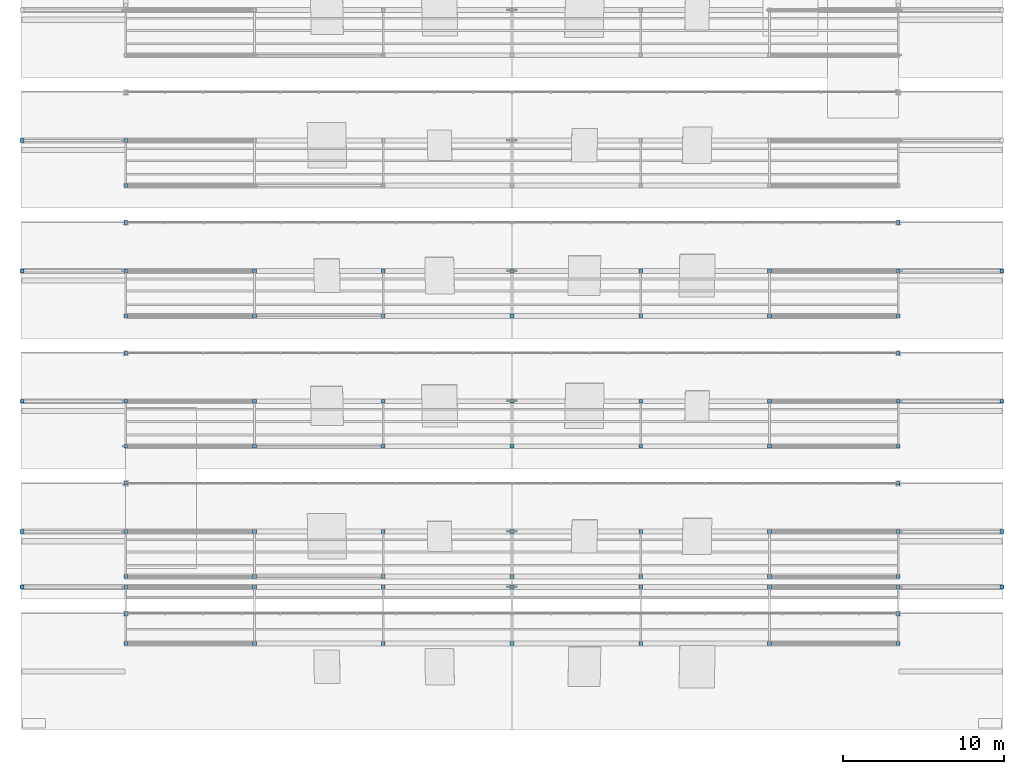
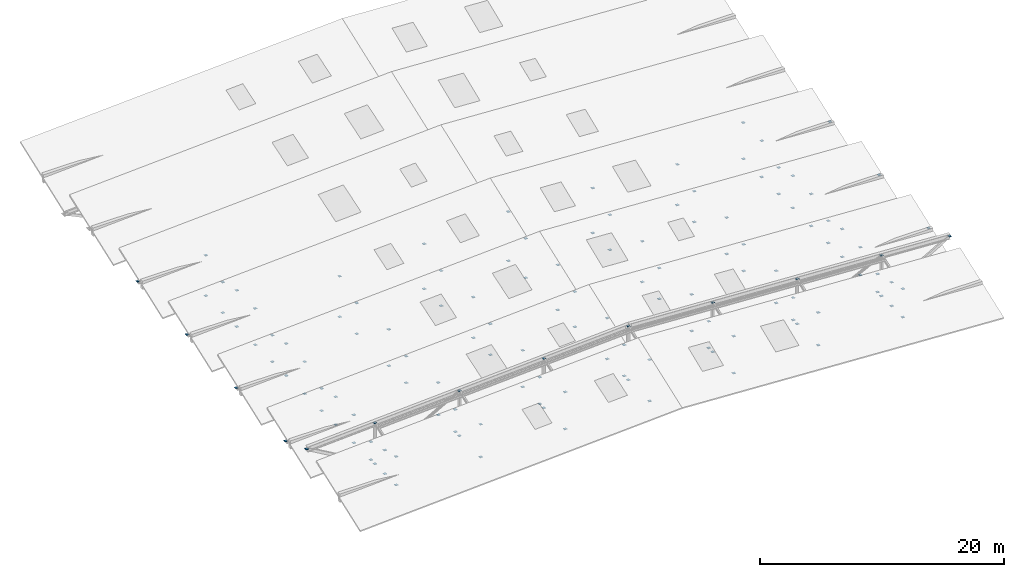
# One storey, part 139 of 141: 141 discrete accessories.
"""IFC4 building model written with IfcOpenShell, lengths in metres."""

import ifcopenshell
import ifcopenshell.guid

model = None  # the IFC model being written
_history = None  # IfcOwnerHistory: only IFC2X3 demands one
_inside = {}  # id of a spatial element -> (the spatial element, [elements in it])
_under = {}  # id of a project, library or spatial element -> (it, [spatial elements below it])
_declared = {}  # id of a project -> (the project, [libraries it declares])
_typed = {}  # id of a type object -> (the type object, [elements of that type])
_made_of = {}  # id of a material, layer set ... -> (it, [elements and type objects made of it])


def new_model(schema):
    """Start an empty IFC model of exactly this schema.

    Asked for "IFC4X3", IfcOpenShell would pick the latest addendum, in which some entities
    have other attributes; the version numbers below select the first issue.
    IFC2X3 requires an IfcOwnerHistory on every rooted entity: one is made here for all.
    """
    global model, _history
    if schema == "IFC4X3":
        model = ifcopenshell.file(schema_version=(4, 3, 0, 0))
    else:
        model = ifcopenshell.file(schema=schema)
    _inside.clear()
    _under.clear()
    _declared.clear()
    _typed.clear()
    _made_of.clear()
    _history = None
    if model.schema == "IFC2X3":
        org = make("IfcOrganization", Name="unknown")
        user = make(
            "IfcPersonAndOrganization",
            ThePerson=make("IfcPerson", FamilyName="unknown"),
            TheOrganization=org,
        )
        app = make(
            "IfcApplication",
            ApplicationDeveloper=org,
            Version="unknown",
            ApplicationFullName="unknown",
            ApplicationIdentifier="unknown",
        )
        _history = make(
            "IfcOwnerHistory",
            OwningUser=user,
            OwningApplication=app,
            ChangeAction="ADDED",
            CreationDate=0,
        )
    return model


def make(cls, **values):
    """One entity of the class cls with the attributes given. An attribute that is None is left unset."""
    return model.create_entity(
        cls, **{name: value for name, value in values.items() if value is not None}
    )


def rooted(cls, **values):
    """An entity with a GlobalId (a new one), such as an element, a storey or a relation."""
    return make(cls, GlobalId=ifcopenshell.guid.new(), OwnerHistory=_history, **values)


def si_unit(unit_type, name, prefix=None):
    """IfcSIUnit, for example si_unit("LENGTHUNIT", "METRE", prefix="MILLI")."""
    return make("IfcSIUnit", UnitType=unit_type, Prefix=prefix, Name=name)


def assignment(units):
    """IfcUnitAssignment: the units of a project."""
    return None if units is None else make("IfcUnitAssignment", Units=units)


def point(xyz):
    """IfcCartesianPoint."""
    return None if xyz is None else make("IfcCartesianPoint", Coordinates=xyz)


def direction(xyz):
    """IfcDirection."""
    return None if xyz is None else make("IfcDirection", DirectionRatios=xyz)


def frame(location, z_axis=None, x_axis=None):
    """IfcAxis2Placement3D, a coordinate frame: its origin and axes. An axis left out is left unset."""
    return make(
        "IfcAxis2Placement3D",
        Location=point(location),
        Axis=direction(z_axis),
        RefDirection=direction(x_axis),
    )


def frame_2d(location, x_axis=None):
    """IfcAxis2Placement2D, a coordinate frame in the plane: its origin and x axis."""
    return make(
        "IfcAxis2Placement2D", Location=point(location), RefDirection=direction(x_axis)
    )


def origin():
    """The frame at (0, 0, 0) with its axes left unset."""
    return frame((0.0, 0.0, 0.0))


def origin_2d():
    """The frame at (0, 0) in the plane with its x axis left unset."""
    return frame_2d((0.0, 0.0))


def place(relative_to, where):
    """IfcLocalPlacement: puts the frame where relative to a parent placement (None: the world)."""
    return make(
        "IfcLocalPlacement", PlacementRelTo=relative_to, RelativePlacement=where
    )


def context(
    kind, dimensions, precision=None, world=None, true_north=None, identifier=None
):
    """IfcGeometricRepresentationContext, for example the 3D "Model" context."""
    return make(
        "IfcGeometricRepresentationContext",
        ContextIdentifier=identifier,
        ContextType=kind,
        CoordinateSpaceDimension=dimensions,
        Precision=precision,
        WorldCoordinateSystem=world,
        TrueNorth=true_north,
    )


def subcontext(parent, identifier, kind, view, scale=None):
    """IfcGeometricRepresentationSubContext, for example "Body" below "Model"."""
    return make(
        "IfcGeometricRepresentationSubContext",
        ContextIdentifier=identifier,
        ContextType=kind,
        ParentContext=parent,
        TargetScale=scale,
        TargetView=view,
    )


def project(units=None, contexts=None):
    """IfcProject with its units and contexts."""
    return rooted(
        "IfcProject",
        Name="project",
        RepresentationContexts=contexts,
        UnitsInContext=assignment(units),
    )


def spatial(cls, under=None, at=None, **own):
    """A site, building, storey or space (cls), placed at a placement, below another one or the project."""
    s = rooted(cls, ObjectPlacement=at, **own)
    if under is not None:
        _under.setdefault(under.id(), (under, []))[1].append(s)
    return s


def profile(cls, at=None, kind="AREA", **sizes):
    """A parametric profile (cls). Its sizes go by their IFC names, for example OverallWidth=200.0."""
    return make(cls, ProfileType=kind, Position=at, **sizes)


def rectangle(**sizes):
    """IfcRectangleProfileDef."""
    return profile("IfcRectangleProfileDef", **sizes)


def extrude(swept, where, along, depth):
    """IfcExtrudedAreaSolid: the profile swept, set in the frame where, extruded along a direction by depth."""
    return make(
        "IfcExtrudedAreaSolid",
        SweptArea=swept,
        Position=where,
        ExtrudedDirection=direction(along),
        Depth=depth,
    )


def shape(context_of_items, identifier, shape_type, items):
    """IfcShapeRepresentation: the items that make up one representation, for example the "Body"."""
    return make(
        "IfcShapeRepresentation",
        ContextOfItems=context_of_items,
        RepresentationIdentifier=identifier,
        RepresentationType=shape_type,
        Items=items,
    )


def material(Name=None, Category=None):
    """IfcMaterial."""
    return make("IfcMaterial", Name=Name, Category=Category)


def made_of(thing, what):
    """Note that an element or type object is made of a material, layer set ...; save() writes the relation."""
    if what is not None:
        _made_of.setdefault(what.id(), (what, []))[1].append(thing)
    return thing


def type_object(cls, material=None, **own):
    """A type object (cls), such as IfcWallType, which elements share."""
    return made_of(rooted(cls, **own), material)


def element(
    cls,
    number,
    at=None,
    inside=None,
    cuts=None,
    type_object=None,
    material=None,
    context=None,
    identifier="Body",
    shape_type=None,
    held_by="IfcProductDefinitionShape",
    body=None,
    shapes=None,
    **own,
):
    """One element of the class cls, such as IfcWall. Its Tag is "e" and its number.

    at: its placement. inside: the storey or other place that contains it. cuts: it is an
    opening in that element (IfcRelVoidsElement). A single representation is given by context,
    identifier, shape_type and body (its items); several are given by shapes. held_by: the class
    of the entity that holds the representations. save() writes the other relations.
    """
    e = rooted(cls, Tag="e%d" % number, ObjectPlacement=at, **own)
    if body is not None:
        shapes = [shape(context, identifier, shape_type, body)]
    if shapes is not None:
        e.Representation = make(held_by, Representations=shapes)
    if inside is not None:
        _inside.setdefault(inside.id(), (inside, []))[1].append(e)
    if cuts is not None:
        rooted(
            "IfcRelVoidsElement", RelatingBuildingElement=cuts, RelatedOpeningElement=e
        )
    if type_object is not None:
        _typed.setdefault(type_object.id(), (type_object, []))[1].append(e)
    return made_of(e, material)


def aggregate(whole, parts):
    """IfcRelAggregates: a whole, such as a stair, and the parts it consists of."""
    return rooted("IfcRelAggregates", RelatingObject=whole, RelatedObjects=parts)


def save(model, path):
    """Write the relations noted so far, then the file.

    IfcRelAggregates (storeys below a building ...), IfcRelContainedInSpatialStructure (elements
    in a storey), IfcRelDefinesByType, IfcRelAssociatesMaterial and IfcRelDeclares: one each for
    every whole, place, type object, material and project.
    """
    for whole, parts in _under.values():
        aggregate(whole, parts)
    for where, things in _inside.values():
        rooted(
            "IfcRelContainedInSpatialStructure",
            RelatedElements=things,
            RelatingStructure=where,
        )
    for kind, things in _typed.values():
        rooted("IfcRelDefinesByType", RelatedObjects=things, RelatingType=kind)
    for what, things in _made_of.values():
        rooted("IfcRelAssociatesMaterial", RelatedObjects=things, RelatingMaterial=what)
    for by, libraries in _declared.values():
        rooted("IfcRelDeclares", RelatingContext=by, RelatedDefinitions=libraries)
    model.write(path)


model = new_model("IFC4")

# Units and contexts
model_context = context("Model", 3, precision=1e-05, world=origin(), true_north=direction((0.0, 1.0)))
body_context = subcontext(model_context, "Body", "Model", "MODEL_VIEW")
ifc_project = project(units=[si_unit("LENGTHUNIT", "METRE"), si_unit("AREAUNIT", "SQUARE_METRE"), si_unit("VOLUMEUNIT", "CUBIC_METRE"), si_unit("PLANEANGLEUNIT", "RADIAN"), si_unit("MASSUNIT", "GRAM", prefix="KILO")], contexts=[model_context])

# Site, building, storey
site_placement = place(None, origin())
site = spatial("IfcSite", under=ifc_project, at=site_placement, CompositionType="ELEMENT")
building_placement = place(site_placement, origin())
building = spatial("IfcBuilding", under=site, at=building_placement, Name="Sundkrona Museum", CompositionType="ELEMENT")
storey_placement = place(building_placement, frame((0.0, 0.0, 34.0)))
storey = spatial("IfcBuildingStorey", under=building, at=storey_placement, Name="RF", CompositionType="ELEMENT", Elevation=34.0)

# Discrete accessories
ifc_material = material(Name="Stainless Steel EN 1.4404 Cleat", Category="steel")
discrete_accessory_type = type_object("IfcDiscreteAccessoryType", Name="BRK-FIN-01", PredefinedType="BRACKET", material=ifc_material)
for number, where, z_axis, x_axis, name in (
    (1, (120.0, 3.85009765625, -0.262451171875), (0.0, 0.0, 1.0), (1.0, 0.0, 0.0), "Brace and Strut End Connection Plate SAW-B1-DG-1-1"),
    (2, (128.0, 3.85009765625, 4.25927734375), (0.0, 0.0, 1.0), (1.0, 0.0, 0.0), "Brace and Strut End Connection Plate SAW-B1-DG-1-2"),
    (3, (160.0, 3.85009765625, -0.262451171875), (0.0, 0.0, 1.0), (1.0, 0.0, 0.0), "Brace and Strut End Connection Plate SAW-B1-DG-6-1"),
    (4, (168.0, 3.85009765625, 3.826416015625), (0.0, 0.0, 1.0), (1.0, 0.0, 0.0), "Brace and Strut End Connection Plate SAW-B1-DG-6-2"),
    (5, (113.550048828125, 3.85009765625, 3.4775390625), (0.0, 0.0, 1.0), (1.0, 0.0, 0.0), "Brace and Strut End Connection Plate SAW-B1-KNW-2"),
    (6, (168.0, 3.85009765625, -0.262451171875), (0.0, 0.0, 1.0), (1.0, 0.0, 0.0), "Brace and Strut End Connection Plate SAW-B1-KNE-1"),
    (7, (174.449951171875, 3.85009765625, 3.4775390625), (0.0, 0.0, 1.0), (1.0, 0.0, 0.0), "Brace and Strut End Connection Plate SAW-B1-KNE-2"),
    (8, (120.0, 0.35009765625, -0.262451171875), (0.0, 0.0, 1.0), (1.0, 0.0, 0.0), "Brace and Strut End Connection Plate SAW-B1-VDG-1-1"),
    (9, (128.0, 0.35009765625, 3.010986328125), (0.0, 0.0, 1.0), (1.0, 0.0, 0.0), "Brace and Strut End Connection Plate SAW-B1-VDG-1-2"),
    (10, (160.0, 0.35009765625, -0.262451171875), (0.0, 0.0, 1.0), (1.0, 0.0, 0.0), "Brace and Strut End Connection Plate SAW-B1-VDG-6-1"),
    (11, (168.0, 0.35009765625, 2.578369140625), (0.0, 0.0, 1.0), (1.0, 0.0, 0.0), "Brace and Strut End Connection Plate SAW-B1-VDG-6-2"),
    (12, (120.0, 3.85009765625, 3.826416015625), (0.0, 0.0, 1.0), (1.0, 0.0, 0.0), "Brace and Strut End Connection Plate SAW-B1-VP-1-2"),
    (13, (120.0, 0.35009765625, 2.578369140625), (0.0, 0.0, 1.0), (1.0, 0.0, 0.0), "Brace and Strut End Connection Plate SAW-B1-SVP-1-2"),
    (14, (128.0, 3.85009765625, -0.262451171875), (0.0, 0.0, 1.0), (1.0, 0.0, 0.0), "Brace and Strut End Connection Plate SAW-B1-VP-2-1"),
    (15, (128.0, 0.35009765625, -0.262451171875), (0.0, 0.0, 1.0), (1.0, 0.0, 0.0), "Brace and Strut End Connection Plate SAW-B1-SVP-2-1"),
    (16, (136.0, 3.85009765625, -0.262451171875), (0.0, 0.0, 1.0), (1.0, 0.0, 0.0), "Brace and Strut End Connection Plate SAW-B1-VP-3-1"),
    (17, (136.0, 3.85009765625, 4.692138671875), (0.0, 0.0, 1.0), (1.0, 0.0, 0.0), "Brace and Strut End Connection Plate SAW-B1-VP-3-2"),
    (18, (136.0, 0.35009765625, -0.262451171875), (0.0, 0.0, 1.0), (1.0, 0.0, 0.0), "Brace and Strut End Connection Plate SAW-B1-SVP-3-1"),
    (19, (136.0, 0.35009765625, 3.44384765625), (0.0, 0.0, 1.0), (1.0, 0.0, 0.0), "Brace and Strut End Connection Plate SAW-B1-SVP-3-2"),
    (20, (144.0, 3.85009765625, -0.262451171875), (0.0, 0.0, 1.0), (1.0, 0.0, 0.0), "Brace and Strut End Connection Plate SAW-B1-VP-4-1"),
    (21, (144.0, 3.85009765625, 5.124755859375), (0.0, 0.0, 1.0), (1.0, 0.0, 0.0), "Brace and Strut End Connection Plate SAW-B1-VP-4-2"),
    (22, (144.0, 0.35009765625, -0.262451171875), (0.0, 0.0, 1.0), (1.0, 0.0, 0.0), "Brace and Strut End Connection Plate SAW-B1-SVP-4-1"),
    (23, (144.0, 0.35009765625, 3.876708984375), (0.0, 0.0, 1.0), (1.0, 0.0, 0.0), "Brace and Strut End Connection Plate SAW-B1-SVP-4-2"),
    (24, (152.0, 3.85009765625, -0.262451171875), (0.0, 0.0, 1.0), (1.0, 0.0, 0.0), "Brace and Strut End Connection Plate SAW-B1-VP-5-1"),
    (25, (152.0, 3.85009765625, 4.692138671875), (0.0, 0.0, 1.0), (1.0, 0.0, 0.0), "Brace and Strut End Connection Plate SAW-B1-VP-5-2"),
    (26, (152.0, 0.35009765625, -0.262451171875), (0.0, 0.0, 1.0), (1.0, 0.0, 0.0), "Brace and Strut End Connection Plate SAW-B1-SVP-5-1"),
    (27, (152.0, 0.35009765625, 3.44384765625), (0.0, 0.0, 1.0), (1.0, 0.0, 0.0), "Brace and Strut End Connection Plate SAW-B1-SVP-5-2"),
    (28, (160.0, 3.85009765625, 4.25927734375), (0.0, 0.0, 1.0), (1.0, 0.0, 0.0), "Brace and Strut End Connection Plate SAW-B1-VP-6-2"),
    (29, (160.0, 0.35009765625, 3.010986328125), (0.0, 0.0, 1.0), (1.0, 0.0, 0.0), "Brace and Strut End Connection Plate SAW-B1-SVP-6-2"),
    (30, (168.0, 0.35009765625, -0.262451171875), (0.0, 0.0, 1.0), (1.0, 0.0, 0.0), "Brace and Strut End Connection Plate SAW-B1-SVP-7-1"),
    (31, (120.0, 7.300048828125, -0.262451171875), (0.0, 0.0, 1.0), (1.0, 0.0, 0.0), "Brace and Strut End Connection Plate SAW-B2-DG-1-1"),
    (32, (128.0, 7.300048828125, 2.9677734375), (0.0, 0.0, 1.0), (1.0, 0.0, 0.0), "Brace and Strut End Connection Plate SAW-B2-DG-1-2"),
    (33, (160.0, 7.300048828125, -0.262451171875), (0.0, 0.0, 1.0), (1.0, 0.0, 0.0), "Brace and Strut End Connection Plate SAW-B2-DG-6-1"),
    (34, (168.0, 7.300048828125, 2.53515625), (0.0, 0.0, 1.0), (1.0, 0.0, 0.0), "Brace and Strut End Connection Plate SAW-B2-DG-6-2"),
    (35, (113.550048828125, 7.300048828125, 2.18603515625), (0.0, 0.0, 1.0), (1.0, 0.0, 0.0), "Brace and Strut End Connection Plate SAW-B2-KNW-2"),
    (36, (168.0, 7.300048828125, -0.262451171875), (0.0, 0.0, 1.0), (1.0, 0.0, 0.0), "Brace and Strut End Connection Plate SAW-B2-KNE-1"),
    (37, (174.449951171875, 7.300048828125, 2.18603515625), (0.0, 0.0, 1.0), (1.0, 0.0, 0.0), "Brace and Strut End Connection Plate SAW-B2-KNE-2"),
    (38, (120.0, 4.5, -0.262451171875), (0.0, 0.0, 1.0), (1.0, 0.0, 0.0), "Brace and Strut End Connection Plate SAW-B2-VDG-1-1"),
    (39, (128.0, 4.5, 1.977294921875), (0.0, 0.0, 1.0), (1.0, 0.0, 0.0), "Brace and Strut End Connection Plate SAW-B2-VDG-1-2"),
    (40, (160.0, 4.5, -0.262451171875), (0.0, 0.0, 1.0), (1.0, 0.0, 0.0), "Brace and Strut End Connection Plate SAW-B2-VDG-6-1"),
    (41, (168.0, 4.5, 1.54443359375), (0.0, 0.0, 1.0), (1.0, 0.0, 0.0), "Brace and Strut End Connection Plate SAW-B2-VDG-6-2"),
    (42, (120.0, 7.300048828125, 2.53515625), (0.0, 0.0, 1.0), (1.0, 0.0, 0.0), "Brace and Strut End Connection Plate SAW-B2-VP-1-2"),
    (43, (120.0, 4.5, 1.54443359375), (0.0, 0.0, 1.0), (1.0, 0.0, 0.0), "Brace and Strut End Connection Plate SAW-B2-SVP-1-2"),
    (44, (128.0, 7.300048828125, -0.262451171875), (0.0, 0.0, 1.0), (1.0, 0.0, 0.0), "Brace and Strut End Connection Plate SAW-B2-VP-2-1"),
    (45, (128.0, 4.5, -0.262451171875), (0.0, 0.0, 1.0), (1.0, 0.0, 0.0), "Brace and Strut End Connection Plate SAW-B2-SVP-2-1"),
    (46, (136.0, 7.300048828125, -0.262451171875), (0.0, 0.0, 1.0), (1.0, 0.0, 0.0), "Brace and Strut End Connection Plate SAW-B2-VP-3-1"),
    (47, (136.0, 7.300048828125, 3.400634765625), (0.0, 0.0, 1.0), (1.0, 0.0, 0.0), "Brace and Strut End Connection Plate SAW-B2-VP-3-2"),
    (48, (136.0, 4.5, -0.262451171875), (0.0, 0.0, 1.0), (1.0, 0.0, 0.0), "Brace and Strut End Connection Plate SAW-B2-SVP-3-1"),
    (49, (136.0, 4.5, 2.41015625), (0.0, 0.0, 1.0), (1.0, 0.0, 0.0), "Brace and Strut End Connection Plate SAW-B2-SVP-3-2"),
    (50, (144.0, 7.300048828125, -0.262451171875), (0.0, 0.0, 1.0), (1.0, 0.0, 0.0), "Brace and Strut End Connection Plate SAW-B2-VP-4-1"),
    (51, (144.0, 7.300048828125, 3.833251953125), (0.0, 0.0, 1.0), (1.0, 0.0, 0.0), "Brace and Strut End Connection Plate SAW-B2-VP-4-2"),
    (52, (144.0, 4.5, -0.262451171875), (0.0, 0.0, 1.0), (1.0, 0.0, 0.0), "Brace and Strut End Connection Plate SAW-B2-SVP-4-1"),
    (53, (144.0, 4.5, 2.8427734375), (0.0, 0.0, 1.0), (1.0, 0.0, 0.0), "Brace and Strut End Connection Plate SAW-B2-SVP-4-2"),
    (54, (152.0, 7.300048828125, -0.262451171875), (0.0, 0.0, 1.0), (1.0, 0.0, 0.0), "Brace and Strut End Connection Plate SAW-B2-VP-5-1"),
    (55, (152.0, 7.300048828125, 3.400634765625), (0.0, 0.0, 1.0), (1.0, 0.0, 0.0), "Brace and Strut End Connection Plate SAW-B2-VP-5-2"),
    (56, (152.0, 4.5, -0.262451171875), (0.0, 0.0, 1.0), (1.0, 0.0, 0.0), "Brace and Strut End Connection Plate SAW-B2-SVP-5-1"),
    (57, (152.0, 4.5, 2.41015625), (0.0, 0.0, 1.0), (1.0, 0.0, 0.0), "Brace and Strut End Connection Plate SAW-B2-SVP-5-2"),
    (58, (160.0, 7.300048828125, 2.9677734375), (0.0, 0.0, 1.0), (1.0, 0.0, 0.0), "Brace and Strut End Connection Plate SAW-B2-VP-6-2"),
    (59, (160.0, 4.5, 1.977294921875), (0.0, 0.0, 1.0), (1.0, 0.0, 0.0), "Brace and Strut End Connection Plate SAW-B2-SVP-6-2"),
    (60, (168.0, 4.5, -0.262451171875), (0.0, 0.0, 1.0), (1.0, 0.0, 0.0), "Brace and Strut End Connection Plate SAW-B2-SVP-7-1"),
    (61, (120.0, 15.39990234375, -0.262451171875), (0.0, 0.0, 1.0), (1.0, 0.0, 0.0), "Brace and Strut End Connection Plate SAW-B3-DG-1-1"),
    (62, (128.0, 15.39990234375, 3.387939453125), (0.0, 0.0, 1.0), (1.0, 0.0, 0.0), "Brace and Strut End Connection Plate SAW-B3-DG-1-2"),
    (63, (160.0, 15.39990234375, -0.262451171875), (0.0, 0.0, 1.0), (1.0, 0.0, 0.0), "Brace and Strut End Connection Plate SAW-B3-DG-6-1"),
    (64, (168.0, 15.39990234375, 2.955078125), (0.0, 0.0, 1.0), (1.0, 0.0, 0.0), "Brace and Strut End Connection Plate SAW-B3-DG-6-2"),
    (65, (113.550048828125, 15.39990234375, 2.60595703125), (0.0, 0.0, 1.0), (1.0, 0.0, 0.0), "Brace and Strut End Connection Plate SAW-B3-KNW-2"),
    (66, (168.0, 15.39990234375, -0.262451171875), (0.0, 0.0, 1.0), (1.0, 0.0, 0.0), "Brace and Strut End Connection Plate SAW-B3-KNE-1"),
    (67, (174.449951171875, 15.39990234375, 2.60595703125), (0.0, 0.0, 1.0), (1.0, 0.0, 0.0), "Brace and Strut End Connection Plate SAW-B3-KNE-2"),
    (68, (120.0, 12.60009765625, -0.262451171875), (0.0, 0.0, 1.0), (1.0, 0.0, 0.0), "Brace and Strut End Connection Plate SAW-B3-VDG-1-1"),
    (69, (128.0, 12.60009765625, 2.397216796875), (0.0, 0.0, 1.0), (1.0, 0.0, 0.0), "Brace and Strut End Connection Plate SAW-B3-VDG-1-2"),
    (70, (160.0, 12.60009765625, -0.262451171875), (0.0, 0.0, 1.0), (1.0, 0.0, 0.0), "Brace and Strut End Connection Plate SAW-B3-VDG-6-1"),
    (71, (168.0, 12.60009765625, 1.96435546875), (0.0, 0.0, 1.0), (1.0, 0.0, 0.0), "Brace and Strut End Connection Plate SAW-B3-VDG-6-2"),
    (72, (120.0, 15.39990234375, 2.955078125), (0.0, 0.0, 1.0), (1.0, 0.0, 0.0), "Brace and Strut End Connection Plate SAW-B3-VP-1-2"),
    (73, (120.0, 12.60009765625, 1.96435546875), (0.0, 0.0, 1.0), (1.0, 0.0, 0.0), "Brace and Strut End Connection Plate SAW-B3-SVP-1-2"),
    (74, (128.0, 15.39990234375, -0.262451171875), (0.0, 0.0, 1.0), (1.0, 0.0, 0.0), "Brace and Strut End Connection Plate SAW-B3-VP-2-1"),
    (75, (128.0, 12.60009765625, -0.262451171875), (0.0, 0.0, 1.0), (1.0, 0.0, 0.0), "Brace and Strut End Connection Plate SAW-B3-SVP-2-1"),
    (76, (136.0, 15.39990234375, -0.262451171875), (0.0, 0.0, 1.0), (1.0, 0.0, 0.0), "Brace and Strut End Connection Plate SAW-B3-VP-3-1"),
    (77, (136.0, 15.39990234375, 3.820556640625), (0.0, 0.0, 1.0), (1.0, 0.0, 0.0), "Brace and Strut End Connection Plate SAW-B3-VP-3-2"),
    (78, (136.0, 12.60009765625, -0.262451171875), (0.0, 0.0, 1.0), (1.0, 0.0, 0.0), "Brace and Strut End Connection Plate SAW-B3-SVP-3-1"),
    (79, (136.0, 12.60009765625, 2.830078125), (0.0, 0.0, 1.0), (1.0, 0.0, 0.0), "Brace and Strut End Connection Plate SAW-B3-SVP-3-2"),
    (80, (144.0, 15.39990234375, -0.262451171875), (0.0, 0.0, 1.0), (1.0, 0.0, 0.0), "Brace and Strut End Connection Plate SAW-B3-VP-4-1"),
    (81, (144.0, 15.39990234375, 4.25341796875), (0.0, 0.0, 1.0), (1.0, 0.0, 0.0), "Brace and Strut End Connection Plate SAW-B3-VP-4-2"),
    (82, (144.0, 12.60009765625, -0.262451171875), (0.0, 0.0, 1.0), (1.0, 0.0, 0.0), "Brace and Strut End Connection Plate SAW-B3-SVP-4-1"),
    (83, (144.0, 12.60009765625, 3.262939453125), (0.0, 0.0, 1.0), (1.0, 0.0, 0.0), "Brace and Strut End Connection Plate SAW-B3-SVP-4-2"),
    (84, (152.0, 15.39990234375, -0.262451171875), (0.0, 0.0, 1.0), (1.0, 0.0, 0.0), "Brace and Strut End Connection Plate SAW-B3-VP-5-1"),
    (85, (152.0, 15.39990234375, 3.820556640625), (0.0, 0.0, 1.0), (1.0, 0.0, 0.0), "Brace and Strut End Connection Plate SAW-B3-VP-5-2"),
    (86, (152.0, 12.60009765625, -0.262451171875), (0.0, 0.0, 1.0), (1.0, 0.0, 0.0), "Brace and Strut End Connection Plate SAW-B3-SVP-5-1"),
    (87, (152.0, 12.60009765625, 2.830078125), (0.0, 0.0, 1.0), (1.0, 0.0, 0.0), "Brace and Strut End Connection Plate SAW-B3-SVP-5-2"),
    (88, (160.0, 15.39990234375, 3.387939453125), (0.0, 0.0, 1.0), (1.0, 0.0, 0.0), "Brace and Strut End Connection Plate SAW-B3-VP-6-2"),
    (89, (160.0, 12.60009765625, 2.397216796875), (0.0, 0.0, 1.0), (1.0, 0.0, 0.0), "Brace and Strut End Connection Plate SAW-B3-SVP-6-2"),
    (90, (168.0, 12.60009765625, -0.262451171875), (0.0, 0.0, 1.0), (1.0, 0.0, 0.0), "Brace and Strut End Connection Plate SAW-B3-SVP-7-1"),
    (91, (120.0, 23.5, -0.262451171875), (0.0, 0.0, 1.0), (1.0, 0.0, 0.0), "Brace and Strut End Connection Plate SAW-B4-DG-1-1"),
    (92, (128.0, 23.5, 3.807861328125), (0.0, 0.0, 1.0), (1.0, 0.0, 0.0), "Brace and Strut End Connection Plate SAW-B4-DG-1-2"),
    (93, (160.0, 23.5, -0.262451171875), (0.0, 0.0, 1.0), (1.0, 0.0, 0.0), "Brace and Strut End Connection Plate SAW-B4-DG-6-1"),
    (94, (168.0, 23.5, 3.375), (0.0, 0.0, 1.0), (1.0, 0.0, 0.0), "Brace and Strut End Connection Plate SAW-B4-DG-6-2"),
    (95, (113.550048828125, 23.5, 3.026123046875), (0.0, 0.0, 1.0), (1.0, 0.0, 0.0), "Brace and Strut End Connection Plate SAW-B4-KNW-2"),
    (96, (168.0, 23.5, -0.262451171875), (0.0, 0.0, 1.0), (1.0, 0.0, 0.0), "Brace and Strut End Connection Plate SAW-B4-KNE-1"),
    (97, (174.449951171875, 23.5, 3.026123046875), (0.0, 0.0, 1.0), (1.0, 0.0, 0.0), "Brace and Strut End Connection Plate SAW-B4-KNE-2"),
    (98, (120.0, 20.699951171875, -0.262451171875), (0.0, 0.0, 1.0), (1.0, 0.0, 0.0), "Brace and Strut End Connection Plate SAW-B4-VDG-1-1"),
    (99, (128.0, 20.699951171875, 2.817138671875), (0.0, 0.0, 1.0), (1.0, 0.0, 0.0), "Brace and Strut End Connection Plate SAW-B4-VDG-1-2"),
    (100, (160.0, 20.699951171875, -0.262451171875), (0.0, 0.0, 1.0), (1.0, 0.0, 0.0), "Brace and Strut End Connection Plate SAW-B4-VDG-6-1"),
    (101, (168.0, 20.699951171875, 2.384521484375), (0.0, 0.0, 1.0), (1.0, 0.0, 0.0), "Brace and Strut End Connection Plate SAW-B4-VDG-6-2"),
    (102, (120.0, 23.5, 3.375), (0.0, 0.0, 1.0), (1.0, 0.0, 0.0), "Brace and Strut End Connection Plate SAW-B4-VP-1-2"),
    (103, (120.0, 20.699951171875, 2.384521484375), (0.0, 0.0, 1.0), (1.0, 0.0, 0.0), "Brace and Strut End Connection Plate SAW-B4-SVP-1-2"),
    (104, (128.0, 23.5, -0.262451171875), (0.0, 0.0, 1.0), (1.0, 0.0, 0.0), "Brace and Strut End Connection Plate SAW-B4-VP-2-1"),
    (105, (128.0, 20.699951171875, -0.262451171875), (0.0, 0.0, 1.0), (1.0, 0.0, 0.0), "Brace and Strut End Connection Plate SAW-B4-SVP-2-1"),
    (106, (136.0, 23.5, -0.262451171875), (0.0, 0.0, 1.0), (1.0, 0.0, 0.0), "Brace and Strut End Connection Plate SAW-B4-VP-3-1"),
    (107, (136.0, 23.5, 4.240478515625), (0.0, 0.0, 1.0), (1.0, 0.0, 0.0), "Brace and Strut End Connection Plate SAW-B4-VP-3-2"),
    (108, (136.0, 20.699951171875, -0.262451171875), (0.0, 0.0, 1.0), (1.0, 0.0, 0.0), "Brace and Strut End Connection Plate SAW-B4-SVP-3-1"),
    (109, (136.0, 20.699951171875, 3.25), (0.0, 0.0, 1.0), (1.0, 0.0, 0.0), "Brace and Strut End Connection Plate SAW-B4-SVP-3-2"),
    (110, (144.0, 23.5, -0.262451171875), (0.0, 0.0, 1.0), (1.0, 0.0, 0.0), "Brace and Strut End Connection Plate SAW-B4-VP-4-1"),
    (111, (144.0, 23.5, 4.67333984375), (0.0, 0.0, 1.0), (1.0, 0.0, 0.0), "Brace and Strut End Connection Plate SAW-B4-VP-4-2"),
    (112, (144.0, 20.699951171875, -0.262451171875), (0.0, 0.0, 1.0), (1.0, 0.0, 0.0), "Brace and Strut End Connection Plate SAW-B4-SVP-4-1"),
    (113, (144.0, 20.699951171875, 3.682861328125), (0.0, 0.0, 1.0), (1.0, 0.0, 0.0), "Brace and Strut End Connection Plate SAW-B4-SVP-4-2"),
    (114, (152.0, 23.5, -0.262451171875), (0.0, 0.0, 1.0), (1.0, 0.0, 0.0), "Brace and Strut End Connection Plate SAW-B4-VP-5-1"),
    (115, (152.0, 23.5, 4.240478515625), (0.0, 0.0, 1.0), (1.0, 0.0, 0.0), "Brace and Strut End Connection Plate SAW-B4-VP-5-2"),
    (116, (152.0, 20.699951171875, -0.262451171875), (0.0, 0.0, 1.0), (1.0, 0.0, 0.0), "Brace and Strut End Connection Plate SAW-B4-SVP-5-1"),
    (117, (152.0, 20.699951171875, 3.25), (0.0, 0.0, 1.0), (1.0, 0.0, 0.0), "Brace and Strut End Connection Plate SAW-B4-SVP-5-2"),
    (118, (160.0, 23.5, 3.807861328125), (0.0, 0.0, 1.0), (1.0, 0.0, 0.0), "Brace and Strut End Connection Plate SAW-B4-VP-6-2"),
    (119, (160.0, 20.699951171875, 2.817138671875), (0.0, 0.0, 1.0), (1.0, 0.0, 0.0), "Brace and Strut End Connection Plate SAW-B4-SVP-6-2"),
    (120, (168.0, 20.699951171875, -0.262451171875), (0.0, 0.0, 1.0), (1.0, 0.0, 0.0), "Brace and Strut End Connection Plate SAW-B4-SVP-7-1"),
    (121, (120.0, 31.60009765625, -0.262451171875), (0.0, 0.0, 1.0), (1.0, 0.0, 0.0), "Brace and Strut End Connection Plate SAW-B5-DG-1-1"),
    (122, (113.550048828125, 31.60009765625, 3.446044921875), (0.0, 0.0, 1.0), (1.0, 0.0, 0.0), "Brace and Strut End Connection Plate SAW-B5-KNW-2"),
    (123, (120.0, 28.800048828125, -0.262451171875), (0.0, 0.0, 1.0), (1.0, 0.0, 0.0), "Brace and Strut End Connection Plate SAW-B5-VDG-1-1"),
    (124, (120.0, 31.60009765625, 3.795166015625), (0.0, 0.0, 1.0), (1.0, 0.0, 0.0), "Brace and Strut End Connection Plate SAW-B5-VP-1-2"),
    (125, (120.0, 28.800048828125, 2.804443359375), (0.0, 0.0, 1.0), (1.0, 0.0, 0.0), "Brace and Strut End Connection Plate SAW-B5-SVP-1-2"),
    (126, (120.0, 2.199951171875, -0.262451171875), (0.0, 0.0, 1.0), (1.0, 0.0, 0.0), "Brace and Strut End Connection Plate SAW-CL-PST-01W-1"),
    (127, (120.0, 2.199951171875, 2.110595703125), (0.0, 0.0, 1.0), (1.0, 0.0, 0.0), "Brace and Strut End Connection Plate SAW-CL-PST-01W-2"),
    (128, (168.0, 2.199951171875, -0.262451171875), (0.0, 0.0, 1.0), (1.0, 0.0, 0.0), "Brace and Strut End Connection Plate SAW-CL-PST-01E-1"),
    (129, (168.0, 2.199951171875, 2.110595703125), (0.0, 0.0, 1.0), (1.0, 0.0, 0.0), "Brace and Strut End Connection Plate SAW-CL-PST-01E-2"),
    (130, (120.0, 10.300048828125, -0.262451171875), (0.0, 0.0, 1.0), (1.0, 0.0, 0.0), "Brace and Strut End Connection Plate SAW-CL-PST-02W-1"),
    (131, (120.0, 10.300048828125, 2.530517578125), (0.0, 0.0, 1.0), (1.0, 0.0, 0.0), "Brace and Strut End Connection Plate SAW-CL-PST-02W-2"),
    (132, (168.0, 10.300048828125, -0.262451171875), (0.0, 0.0, 1.0), (1.0, 0.0, 0.0), "Brace and Strut End Connection Plate SAW-CL-PST-02E-1"),
    (133, (168.0, 10.300048828125, 2.530517578125), (0.0, 0.0, 1.0), (1.0, 0.0, 0.0), "Brace and Strut End Connection Plate SAW-CL-PST-02E-2"),
    (134, (120.0, 18.39990234375, -0.262451171875), (0.0, 0.0, 1.0), (1.0, 0.0, 0.0), "Brace and Strut End Connection Plate SAW-CL-PST-03W-1"),
    (135, (120.0, 18.39990234375, 2.950439453125), (0.0, 0.0, 1.0), (1.0, 0.0, 0.0), "Brace and Strut End Connection Plate SAW-CL-PST-03W-2"),
    (136, (168.0, 18.39990234375, -0.262451171875), (0.0, 0.0, 1.0), (1.0, 0.0, 0.0), "Brace and Strut End Connection Plate SAW-CL-PST-03E-1"),
    (137, (168.0, 18.39990234375, 2.950439453125), (0.0, 0.0, 1.0), (1.0, 0.0, 0.0), "Brace and Strut End Connection Plate SAW-CL-PST-03E-2"),
    (138, (120.0, 26.5, -0.262451171875), (0.0, 0.0, 1.0), (1.0, 0.0, 0.0), "Brace and Strut End Connection Plate SAW-CL-PST-04W-1"),
    (139, (120.0, 26.5, 3.37060546875), (0.0, 0.0, 1.0), (1.0, 0.0, 0.0), "Brace and Strut End Connection Plate SAW-CL-PST-04W-2"),
    (140, (168.0, 26.5, -0.262451171875), (0.0, 0.0, 1.0), (1.0, 0.0, 0.0), "Brace and Strut End Connection Plate SAW-CL-PST-04E-1"),
    (141, (168.0, 26.5, 3.37060546875), (0.0, 0.0, 1.0), (1.0, 0.0, 0.0), "Brace and Strut End Connection Plate SAW-CL-PST-04E-2"),
):
    element("IfcDiscreteAccessory", number, at=place(storey_placement, frame(where, z_axis=z_axis, x_axis=x_axis)), inside=storey, type_object=discrete_accessory_type, Name=name, PredefinedType="BRACKET", context=body_context, shape_type="SweptSolid", body=[
        extrude(rectangle(XDim=0.239990234375, YDim=0.239990234375, at=origin_2d()), origin(), (0.0, 0.0, 1.0), 0.02490234375),
    ])

save(model, "model.ifc")
